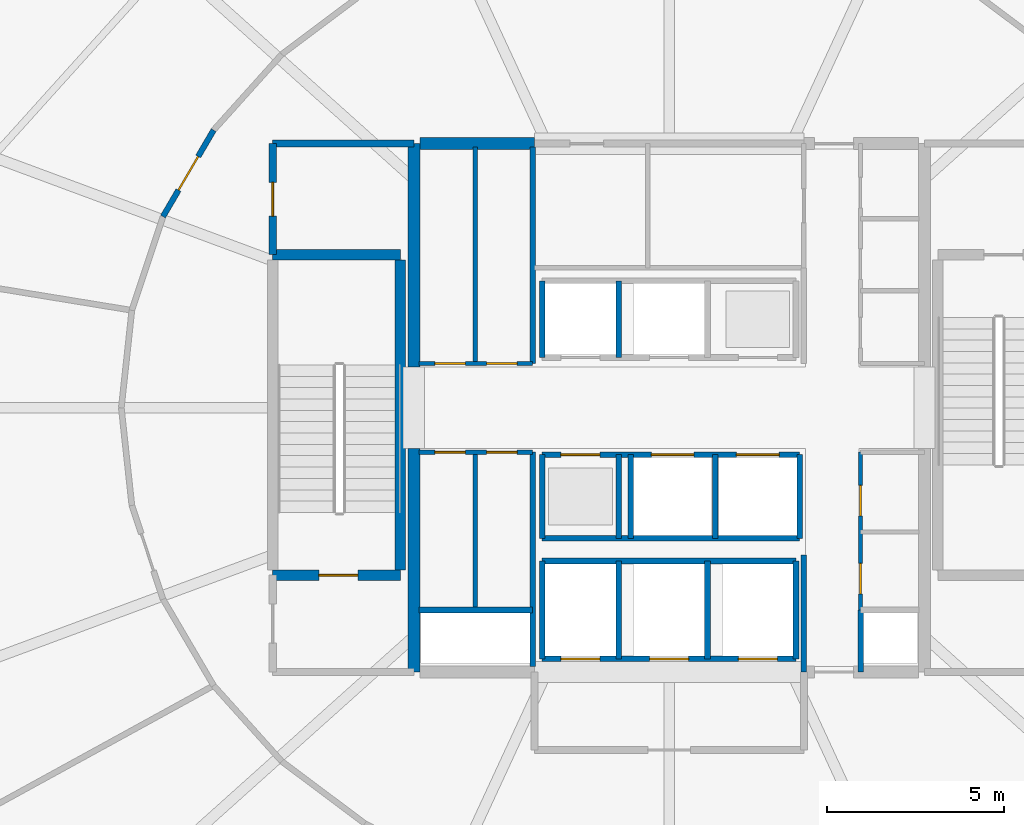
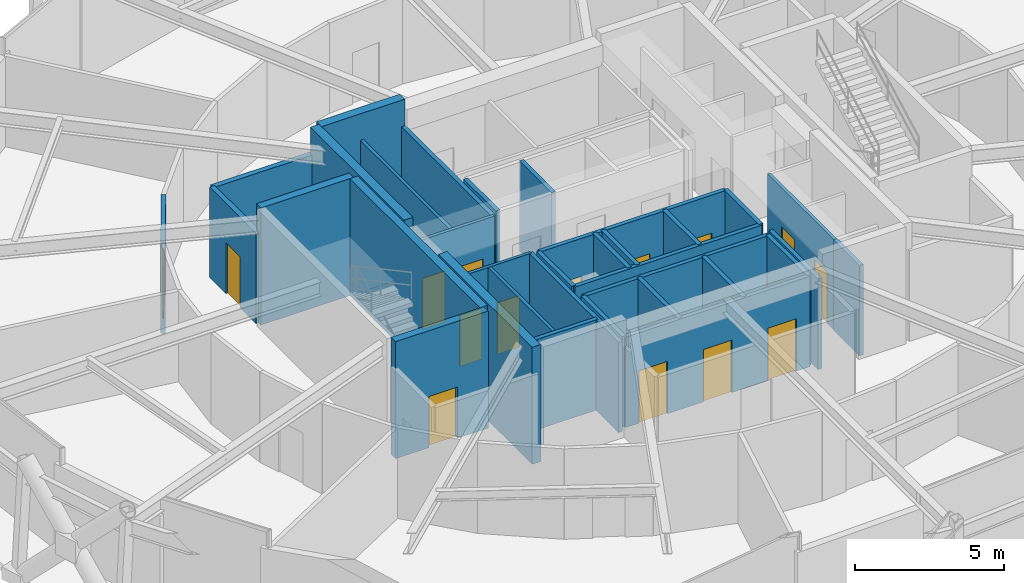
# One storey, part 25 of 29: 34 walls, 15 doors, 15 openings.
"""IFC4 building model written with IfcOpenShell, lengths in metres."""

from ifc_helpers import new_model, si_unit, direction, frame, frame_2d, origin, place, context, subcontext, project, spatial, rectangle, extrude, material, layer, layer_set, type_object, element, fill, save


model = new_model("IFC4")

# Units and contexts
model_context = context("Model", 3, precision=1e-05, world=origin(), true_north=direction((0.0, 1.0)))
body_context = subcontext(model_context, "Body", "Model", "MODEL_VIEW")
ifc_project = project(units=[si_unit("LENGTHUNIT", "METRE"), si_unit("AREAUNIT", "SQUARE_METRE"), si_unit("VOLUMEUNIT", "CUBIC_METRE"), si_unit("PLANEANGLEUNIT", "RADIAN"), si_unit("MASSUNIT", "GRAM", prefix="KILO")], contexts=[model_context])

# Site, building, storey
site_placement = place(None, origin())
site = spatial("IfcSite", under=ifc_project, at=site_placement, CompositionType="ELEMENT")
building_placement = place(site_placement, origin())
building = spatial("IfcBuilding", under=site, at=building_placement, Name="Veldorina Hangang Commons", CompositionType="ELEMENT")
storey_placement = place(building_placement, frame((0.0, 0.0, 203.60009765625)))
storey = spatial("IfcBuildingStorey", under=building, at=storey_placement, Name="L53", CompositionType="ELEMENT", Elevation=203.60009765625)

# Walls
ifc_material_1 = material(Name="Concrete C60/75", Category="concrete")
ifc_layer_1 = layer(ifc_material_1, 0.340087890625)
ifc_layer_set_1 = layer_set([ifc_layer_1], Name="Concrete C60/75")
wall_type_1 = type_object("IfcWallType", Name="CW-RC340-C60", PredefinedType="SHEAR", material=ifc_layer_set_1)
for number, where, z_axis, x_axis, name in (
    (1, (24.800048828125, 16.550048828125, 0.0), (0.0, 0.0, 1.0), (0.0, 1.0, 0.0), "L53 W south core shear wall"),
    (2, (24.800048828125, 25.14990234375, 0.0), (0.0, 0.0, 1.0), (0.0, 1.0, 0.0), "L53 W north core shear wall"),
):
    element("IfcWall", number, at=place(storey_placement, frame(where, z_axis=z_axis, x_axis=x_axis)), inside=storey, type_object=wall_type_1, Name=name, PredefinedType="SHEAR", context=body_context, shape_type="SweptSolid", body=[
        extrude(rectangle(XDim=6.300048828125, YDim=0.340087890625, at=frame_2d((3.14990234375, 0.0))), origin(), (0.0, 0.0, 1.0), 4.7998046875),
    ])
wall_1_placement = place(storey_placement, frame((24.969970703125, 31.449951171875, 0.0), z_axis=(0.0, 0.0, 1.0), x_axis=(1.0, 0.0, 0.0)))
element("IfcWall", 3, at=wall_1_placement, inside=storey, type_object=wall_type_1, Name="L53 north-west core shear wall", PredefinedType="SHEAR", context=body_context, shape_type="SweptSolid", body=[
    extrude(rectangle(XDim=3.22998046875, YDim=0.340087890625, at=frame_2d((1.614990234375, 0.0))), origin(), (0.0, 0.0, 1.0), 4.7998046875),
])
ifc_material_2 = material(Name="Concrete C50/60", Category="concrete")
ifc_layer_2 = layer(ifc_material_2, 0.300048828125)
ifc_layer_set_2 = layer_set([ifc_layer_2], Name="Concrete C50/60")
wall_type_2 = type_object("IfcWallType", Name="SW-STAIR-300", PredefinedType="SHEAR", material=ifc_layer_set_2)
wall_2_placement = place(storey_placement, frame((24.419921875, 19.429931640625, 0.0), z_axis=(0.0, 0.0, 1.0), x_axis=(0.0, 1.0, 0.0)))
element("IfcWall", 4, at=wall_2_placement, inside=storey, type_object=wall_type_2, Name="L53 ST1 inner stair shear wall", PredefinedType="SHEAR", context=body_context, shape_type="SweptSolid", body=[
    extrude(rectangle(XDim=8.739990234375, YDim=0.300048828125, at=frame_2d((4.3701171875, 0.0))), origin(), (0.0, 0.0, 1.0), 4.7998046875),
])

# Wall, opening, door
wall_3_placement = place(storey_placement, frame((20.820068359375, 19.280029296875, 0.0), z_axis=(0.0, 0.0, 1.0), x_axis=(1.0, 0.0, 0.0)))
wall_3 = element("IfcWall", 5, at=wall_3_placement, inside=storey, type_object=wall_type_2, Name="L53 ST1 south stair shear wall", PredefinedType="SHEAR", context=body_context, shape_type="SweptSolid", body=[
    extrude(rectangle(XDim=3.599853515625, YDim=0.300048828125, at=frame_2d((1.7998046875, 0.0))), origin(), (0.0, 0.0, 1.0), 4.7998046875),
])
opening_1_placement = place(wall_3_placement, frame((1.300048828125, 0.0, 0.0)))
opening_1 = element("IfcOpeningElement", 6, at=opening_1_placement, cuts=wall_3, Name="Opening D-08", PredefinedType="OPENING", context=body_context, shape_type="SweptSolid", body=[
    extrude(rectangle(XDim=1.10009765625, YDim=2.10009765625, at=frame_2d((0.550048828125, 1.050048828125))), frame((0.0, 0.16015625, 0.0), z_axis=(0.0, -1.0, 0.0), x_axis=(1.0, 0.0, 0.0)), (0.0, 0.0, 1.0), 0.320068359375),
])
ifc_material_3 = material(Name="Steel Fire-Rated Smoke Seal", Category="steel")
door_type_1 = type_object("IfcDoorType", Name="DR-FIRE-1100", OperationType="SINGLE_SWING_RIGHT", PredefinedType="DOOR", material=ifc_material_3)
door_1_placement = place(opening_1_placement, origin())
door_1 = element("IfcDoor", 7, at=door_1_placement, inside=storey, type_object=door_type_1, Name="L53 Special Escape Stair ST-1 door", OperationType="SINGLE_SWING_LEFT", OverallHeight=2.10009765625, OverallWidth=1.10009765625, PredefinedType="DOOR", context=body_context, shape_type="SweptSolid", body=[
    extrude(rectangle(XDim=1.10009765625, YDim=2.10009765625, at=frame_2d((0.550048828125, 1.050048828125))), frame((0.0, 0.02490234375, 0.0), z_axis=(0.0, -1.0, 0.0), x_axis=(1.0, 0.0, 0.0)), (0.0, 0.0, 1.0), 0.050048828125),
])
fill(opening_1, door_1)

# Walls
wall_4_placement = place(storey_placement, frame((20.820068359375, 28.320068359375, 0.0), z_axis=(0.0, 0.0, 1.0), x_axis=(1.0, 0.0, 0.0)))
element("IfcWall", 8, at=wall_4_placement, inside=storey, type_object=wall_type_2, Name="L53 ST1 north stair shear wall", PredefinedType="SHEAR", context=body_context, shape_type="SweptSolid", body=[
    extrude(rectangle(XDim=3.599853515625, YDim=0.300048828125, at=frame_2d((1.7998046875, 0.0))), origin(), (0.0, 0.0, 1.0), 4.7998046875),
])
ifc_material_4 = material(Name="Gypsum Fire-Rated Twin Stud Wall", Category="gypsum")
ifc_layer_3 = layer(ifc_material_4, 0.159912109375)
ifc_layer_set_3 = layer_set([ifc_layer_3], Name="Gypsum Fire-Rated Twin Stud Wall")
wall_type_3 = type_object("IfcWallType", Name="WL-FIRE-160", PredefinedType="SOLIDWALL", material=ifc_layer_set_3)
wall_5_placement = place(storey_placement, frame((35.800048828125, 16.550048828125, 0.0), z_axis=(0.0, 0.0, 1.0), x_axis=(0.0, 1.0, 0.0)))
element("IfcWall", 9, at=wall_5_placement, inside=storey, type_object=wall_type_3, Name="L53 Lift passage SW wall 009", PredefinedType="SOLIDWALL", context=body_context, shape_type="SweptSolid", body=[
    extrude(rectangle(XDim=3.300048828125, YDim=0.159912109375, at=frame_2d((1.64990234375, 0.0))), origin(), (0.0, 0.0, 1.0), 3.7099609375),
])
wall_6_placement = place(storey_placement, frame((37.39990234375, 16.550048828125, 0.0), z_axis=(0.0, 0.0, 1.0), x_axis=(0.0, 1.0, 0.0)))
element("IfcWall", 10, at=wall_6_placement, inside=storey, type_object=wall_type_3, Name="L53 Lift passage SE stub 010", PredefinedType="SOLIDWALL", context=body_context, shape_type="SweptSolid", body=[
    extrude(rectangle(XDim=1.75, YDim=0.159912109375, at=frame_2d((0.875, 0.0))), origin(), (0.0, 0.0, 1.0), 3.7099609375),
])
for number, where, z_axis, x_axis, name in (
    (11, (28.419921875, 25.419921875, 0.0), (0.0, 0.0, 1.0), (0.0, 1.0, 0.0), "L53 PL-M1 west shaft wall 017"),
    (12, (30.580078125, 25.419921875, 0.0), (0.0, 0.0, 1.0), (0.0, 1.0, 0.0), "L53 PL-M1 east shaft wall 018"),
):
    element("IfcWall", number, at=place(storey_placement, frame(where, z_axis=z_axis, x_axis=x_axis)), inside=storey, type_object=wall_type_3, Name=name, PredefinedType="SOLIDWALL", context=body_context, shape_type="SweptSolid", body=[
        extrude(rectangle(XDim=2.16015625, YDim=0.159912109375, at=frame_2d((1.080078125, 0.0))), origin(), (0.0, 0.0, 1.0), 3.7099609375),
    ])

# Wall, openings, doors
wall_7_placement = place(storey_placement, frame((28.419921875, 22.679931640625, 0.0), z_axis=(0.0, 0.0, 1.0), x_axis=(1.0, 0.0, 0.0)))
wall_7 = element("IfcWall", 13, at=wall_7_placement, inside=storey, type_object=wall_type_3, Name="L53 Shuttle-high front shaft wall 021", PredefinedType="SOLIDWALL", context=body_context, shape_type="SweptSolid", body=[
    extrude(rectangle(XDim=7.260009765625, YDim=0.159912109375, at=frame_2d((3.6298828125, 0.0))), origin(), (0.0, 0.0, 1.0), 3.7099609375),
])
opening_2_placement = place(wall_7_placement, frame((0.530029296875, 0.0, 0.0)))
opening_2 = element("IfcOpeningElement", 14, at=opening_2_placement, cuts=wall_7, Name="Opening LD-01", PredefinedType="OPENING", context=body_context, shape_type="SweptSolid", body=[
    extrude(rectangle(XDim=1.10009765625, YDim=2.14990234375, at=frame_2d((0.550048828125, 1.074951171875))), frame((0.0, 0.08984375, 0.0), z_axis=(0.0, -1.0, 0.0), x_axis=(1.0, 0.0, 0.0)), (0.0, 0.0, 1.0), 0.179931640625),
])
opening_3_placement = place(wall_7_placement, frame((3.080078125, 0.0, 0.0)))
opening_3 = element("IfcOpeningElement", 15, at=opening_3_placement, cuts=wall_7, Name="Opening LD-02", PredefinedType="OPENING", context=body_context, shape_type="SweptSolid", body=[
    extrude(rectangle(XDim=1.199951171875, YDim=2.14990234375, at=frame_2d((0.60009765625, 1.074951171875))), frame((0.0, 0.08984375, 0.0), z_axis=(0.0, -1.0, 0.0), x_axis=(1.0, 0.0, 0.0)), (0.0, 0.0, 1.0), 0.179931640625),
])
opening_4_placement = place(wall_7_placement, frame((5.47998046875, 0.0, 0.0)))
opening_4 = element("IfcOpeningElement", 16, at=opening_4_placement, cuts=wall_7, Name="Opening LD-02", PredefinedType="OPENING", context=body_context, shape_type="SweptSolid", body=[
    extrude(rectangle(XDim=1.199951171875, YDim=2.14990234375, at=frame_2d((0.60009765625, 1.074951171875))), frame((0.0, 0.08984375, 0.0), z_axis=(0.0, -1.0, 0.0), x_axis=(1.0, 0.0, 0.0)), (0.0, 0.0, 1.0), 0.179931640625),
])
ifc_material_5 = material(Name="Stainless Steel Brushed Lift Door", Category="steel")
door_type_2 = type_object("IfcDoorType", Name="DR-LIFT-1100", OperationType="SLIDING_TO_LEFT", PredefinedType="DOOR", material=ifc_material_5)
door_2_placement = place(opening_2_placement, origin())
door_2 = element("IfcDoor", 17, at=door_2_placement, inside=storey, type_object=door_type_2, Name="L53 Lift PL-H2 landing door 009", OperationType="SLIDING_TO_LEFT", OverallHeight=2.14990234375, OverallWidth=1.10009765625, PredefinedType="DOOR", context=body_context, shape_type="SweptSolid", body=[
    extrude(rectangle(XDim=1.10009765625, YDim=2.14990234375, at=frame_2d((0.550048828125, 1.074951171875))), frame((0.0, 0.02490234375, 0.0), z_axis=(0.0, -1.0, 0.0), x_axis=(1.0, 0.0, 0.0)), (0.0, 0.0, 1.0), 0.050048828125),
])
fill(opening_2, door_2)
ifc_material_6 = material(Name="Stainless Steel Express Lift Door", Category="steel")
door_type_3 = type_object("IfcDoorType", Name="DR-LIFT-1200", OperationType="SLIDING_TO_LEFT", PredefinedType="DOOR", material=ifc_material_6)
door_3_placement = place(opening_3_placement, origin())
door_3 = element("IfcDoor", 18, at=door_3_placement, inside=storey, type_object=door_type_3, Name="L53 Lift SL-1 landing door 010", OperationType="SLIDING_TO_LEFT", OverallHeight=2.14990234375, OverallWidth=1.199951171875, PredefinedType="DOOR", context=body_context, shape_type="SweptSolid", body=[
    extrude(rectangle(XDim=1.199951171875, YDim=2.14990234375, at=frame_2d((0.60009765625, 1.074951171875))), frame((0.0, 0.02490234375, 0.0), z_axis=(0.0, -1.0, 0.0), x_axis=(1.0, 0.0, 0.0)), (0.0, 0.0, 1.0), 0.050048828125),
])
fill(opening_3, door_3)
door_4_placement = place(opening_4_placement, origin())
door_4 = element("IfcDoor", 19, at=door_4_placement, inside=storey, type_object=door_type_3, Name="L53 Lift SL-2 landing door 011", OperationType="SLIDING_TO_LEFT", OverallHeight=2.14990234375, OverallWidth=1.199951171875, PredefinedType="DOOR", context=body_context, shape_type="SweptSolid", body=[
    extrude(rectangle(XDim=1.199951171875, YDim=2.14990234375, at=frame_2d((0.60009765625, 1.074951171875))), frame((0.0, 0.02490234375, 0.0), z_axis=(0.0, -1.0, 0.0), x_axis=(1.0, 0.0, 0.0)), (0.0, 0.0, 1.0), 0.050048828125),
])
fill(opening_4, door_4)

# Walls
wall_8_placement = place(storey_placement, frame((28.419921875, 20.320068359375, 0.0), z_axis=(0.0, 0.0, 1.0), x_axis=(1.0, 0.0, 0.0)))
element("IfcWall", 20, at=wall_8_placement, inside=storey, type_object=wall_type_3, Name="L53 Shuttle-high rear shaft wall 022", PredefinedType="SOLIDWALL", context=body_context, shape_type="SweptSolid", body=[
    extrude(rectangle(XDim=7.260009765625, YDim=0.159912109375, at=frame_2d((3.6298828125, 0.0))), origin(), (0.0, 0.0, 1.0), 3.7099609375),
])
for number, where, z_axis, x_axis, name in (
    (21, (28.419921875, 20.320068359375, 0.0), (0.0, 0.0, 1.0), (0.0, 1.0, 0.0), "L53 PL-H2 west shaft wall 023"),
    (22, (30.580078125, 20.320068359375, 0.0), (0.0, 0.0, 1.0), (0.0, 1.0, 0.0), "L53 PL-H2 east shaft wall 024"),
    (23, (30.919921875, 20.320068359375, 0.0), (0.0, 0.0, 1.0), (0.0, 1.0, 0.0), "L53 SL-1 west shaft wall 025"),
    (24, (33.300048828125, 20.320068359375, 0.0), (0.0, 0.0, 1.0), (0.0, 1.0, 0.0), "L53 SL-1 east shaft wall 026"),
    (25, (35.679931640625, 20.320068359375, 0.0), (0.0, 0.0, 1.0), (0.0, 1.0, 0.0), "L53 SL-2 east shaft wall 027"),
):
    element("IfcWall", number, at=place(storey_placement, frame(where, z_axis=z_axis, x_axis=x_axis)), inside=storey, type_object=wall_type_3, Name=name, PredefinedType="SOLIDWALL", context=body_context, shape_type="SweptSolid", body=[
        extrude(rectangle(XDim=2.35986328125, YDim=0.159912109375, at=frame_2d((1.179931640625, 0.0))), origin(), (0.0, 0.0, 1.0), 3.7099609375),
    ])

# Wall, openings, doors
wall_9_placement = place(storey_placement, frame((28.419921875, 16.919921875, 0.0), z_axis=(0.0, 0.0, 1.0), x_axis=(1.0, 0.0, 0.0)))
wall_9 = element("IfcWall", 26, at=wall_9_placement, inside=storey, type_object=wall_type_3, Name="L53 Emergency front shaft wall 028", PredefinedType="SOLIDWALL", context=body_context, shape_type="SweptSolid", body=[
    extrude(rectangle(XDim=7.16015625, YDim=0.159912109375, at=frame_2d((3.580078125, 0.0))), origin(), (0.0, 0.0, 1.0), 3.7099609375),
])
opening_5_placement = place(wall_9_placement, frame((0.530029296875, 0.0, 0.0)))
opening_5 = element("IfcOpeningElement", 27, at=opening_5_placement, cuts=wall_9, Name="Opening LD-03", PredefinedType="OPENING", context=body_context, shape_type="SweptSolid", body=[
    extrude(rectangle(XDim=1.10009765625, YDim=2.14990234375, at=frame_2d((0.550048828125, 1.074951171875))), frame((0.0, 0.08984375, 0.0), z_axis=(0.0, -1.0, 0.0), x_axis=(1.0, 0.0, 0.0)), (0.0, 0.0, 1.0), 0.179931640625),
])
opening_6_placement = place(wall_9_placement, frame((3.030029296875, 0.0, 0.0)))
opening_6 = element("IfcOpeningElement", 28, at=opening_6_placement, cuts=wall_9, Name="Opening LD-03", PredefinedType="OPENING", context=body_context, shape_type="SweptSolid", body=[
    extrude(rectangle(XDim=1.10009765625, YDim=2.14990234375, at=frame_2d((0.550048828125, 1.074951171875))), frame((0.0, 0.08984375, 0.0), z_axis=(0.0, -1.0, 0.0), x_axis=(1.0, 0.0, 0.0)), (0.0, 0.0, 1.0), 0.179931640625),
])
opening_7_placement = place(wall_9_placement, frame((5.530029296875, 0.0, 0.0)))
opening_7 = element("IfcOpeningElement", 29, at=opening_7_placement, cuts=wall_9, Name="Opening LD-03", PredefinedType="OPENING", context=body_context, shape_type="SweptSolid", body=[
    extrude(rectangle(XDim=1.10009765625, YDim=2.14990234375, at=frame_2d((0.550048828125, 1.074951171875))), frame((0.0, 0.08984375, 0.0), z_axis=(0.0, -1.0, 0.0), x_axis=(1.0, 0.0, 0.0)), (0.0, 0.0, 1.0), 0.179931640625),
])
ifc_material_7 = material(Name="Stainless Steel Firefighting Lift Door", Category="steel")
door_type_4 = type_object("IfcDoorType", Name="DR-LIFT-FF1100", OperationType="SLIDING_TO_RIGHT", PredefinedType="DOOR", material=ifc_material_7)
door_5_placement = place(opening_5_placement, origin())
door_5 = element("IfcDoor", 30, at=door_5_placement, inside=storey, type_object=door_type_4, Name="L53 Emergency lift FFL-1 landing door 012", OperationType="SLIDING_TO_RIGHT", OverallHeight=2.14990234375, OverallWidth=1.10009765625, PredefinedType="DOOR", context=body_context, shape_type="SweptSolid", body=[
    extrude(rectangle(XDim=1.10009765625, YDim=2.14990234375, at=frame_2d((0.550048828125, 1.074951171875))), frame((0.0, 0.02490234375, 0.0), z_axis=(0.0, -1.0, 0.0), x_axis=(1.0, 0.0, 0.0)), (0.0, 0.0, 1.0), 0.050048828125),
])
fill(opening_5, door_5)
door_6_placement = place(opening_6_placement, origin())
door_6 = element("IfcDoor", 31, at=door_6_placement, inside=storey, type_object=door_type_4, Name="L53 Emergency lift FFL-2 landing door 013", OperationType="SLIDING_TO_RIGHT", OverallHeight=2.14990234375, OverallWidth=1.10009765625, PredefinedType="DOOR", context=body_context, shape_type="SweptSolid", body=[
    extrude(rectangle(XDim=1.10009765625, YDim=2.14990234375, at=frame_2d((0.550048828125, 1.074951171875))), frame((0.0, 0.02490234375, 0.0), z_axis=(0.0, -1.0, 0.0), x_axis=(1.0, 0.0, 0.0)), (0.0, 0.0, 1.0), 0.050048828125),
])
fill(opening_6, door_6)
door_7_placement = place(opening_7_placement, origin())
door_7 = element("IfcDoor", 32, at=door_7_placement, inside=storey, type_object=door_type_4, Name="L53 Emergency lift EVL-1 landing door 014", OperationType="SLIDING_TO_RIGHT", OverallHeight=2.14990234375, OverallWidth=1.10009765625, PredefinedType="DOOR", context=body_context, shape_type="SweptSolid", body=[
    extrude(rectangle(XDim=1.10009765625, YDim=2.14990234375, at=frame_2d((0.550048828125, 1.074951171875))), frame((0.0, 0.02490234375, 0.0), z_axis=(0.0, -1.0, 0.0), x_axis=(1.0, 0.0, 0.0)), (0.0, 0.0, 1.0), 0.050048828125),
])
fill(opening_7, door_7)

# Walls
wall_10_placement = place(storey_placement, frame((28.419921875, 19.679931640625, 0.0), z_axis=(0.0, 0.0, 1.0), x_axis=(1.0, 0.0, 0.0)))
element("IfcWall", 33, at=wall_10_placement, inside=storey, type_object=wall_type_3, Name="L53 Emergency rear shaft wall 029", PredefinedType="SOLIDWALL", context=body_context, shape_type="SweptSolid", body=[
    extrude(rectangle(XDim=7.16015625, YDim=0.159912109375, at=frame_2d((3.580078125, 0.0))), origin(), (0.0, 0.0, 1.0), 3.7099609375),
])
for number, where, z_axis, x_axis, name in (
    (34, (28.419921875, 16.919921875, 0.0), (0.0, 0.0, 1.0), (0.0, 1.0, 0.0), "L53 FFL-1 west shaft wall 030"),
    (35, (30.580078125, 16.919921875, 0.0), (0.0, 0.0, 1.0), (0.0, 1.0, 0.0), "L53 FFL-1 east shaft wall 031"),
    (36, (33.080078125, 16.919921875, 0.0), (0.0, 0.0, 1.0), (0.0, 1.0, 0.0), "L53 FFL-2 east shaft wall 032"),
    (37, (35.580078125, 16.919921875, 0.0), (0.0, 0.0, 1.0), (0.0, 1.0, 0.0), "L53 EVL-1 east shaft wall 033"),
):
    element("IfcWall", number, at=place(storey_placement, frame(where, z_axis=z_axis, x_axis=x_axis)), inside=storey, type_object=wall_type_3, Name=name, PredefinedType="SOLIDWALL", context=body_context, shape_type="SweptSolid", body=[
        extrude(rectangle(XDim=2.760009765625, YDim=0.159912109375, at=frame_2d((1.3798828125, 0.0))), origin(), (0.0, 0.0, 1.0), 3.7099609375),
    ])
wall_11_placement = place(storey_placement, frame((24.949951171875, 18.300048828125, 0.0), z_axis=(0.0, 0.0, 1.0), x_axis=(1.0, 0.0, 0.0)))
element("IfcWall", 38, at=wall_11_placement, inside=storey, type_object=wall_type_3, Name="L53 Electrical riser wall 038", PredefinedType="SOLIDWALL", context=body_context, shape_type="SweptSolid", body=[
    extrude(rectangle(XDim=3.199951171875, YDim=0.159912109375, at=frame_2d((1.60009765625, 0.0))), origin(), (0.0, 0.0, 1.0), 3.7099609375),
])
wall_12_placement = place(storey_placement, frame((28.14990234375, 16.699951171875, 0.0), z_axis=(0.0, 0.0, 1.0), x_axis=(0.0, 1.0, 0.0)))
element("IfcWall", 39, at=wall_12_placement, inside=storey, type_object=wall_type_3, Name="L53 SW core inner wall 039", PredefinedType="SOLIDWALL", context=body_context, shape_type="SweptSolid", body=[
    extrude(rectangle(XDim=6.050048828125, YDim=0.159912109375, at=frame_2d((3.02490234375, 0.0))), origin(), (0.0, 0.0, 1.0), 3.7099609375),
])
wall_13_placement = place(storey_placement, frame((28.14990234375, 25.25, 0.0), z_axis=(0.0, 0.0, 1.0), x_axis=(0.0, 1.0, 0.0)))
element("IfcWall", 40, at=wall_13_placement, inside=storey, type_object=wall_type_3, Name="L53 NW core inner wall 041", PredefinedType="SOLIDWALL", context=body_context, shape_type="SweptSolid", body=[
    extrude(rectangle(XDim=6.10009765625, YDim=0.159912109375, at=frame_2d((3.050048828125, 0.0))), origin(), (0.0, 0.0, 1.0), 3.7099609375),
])

# Wall, opening, door
wall_14_placement = place(storey_placement, frame((19.15380859375, 31.83349609375, 0.0), z_axis=(0.0, 0.0, 1.0), x_axis=(-0.505380130961, -0.862896820732, 0.0)))
wall_14 = element("IfcWall", 41, at=wall_14_placement, inside=storey, type_object=wall_type_3, Name="L53 Sky gallery wall 13 066", PredefinedType="SOLIDWALL", context=body_context, shape_type="SweptSolid", body=[
    extrude(rectangle(XDim=2.824951171875, YDim=0.159912109375, at=frame_2d((1.41259765625, 0.0))), origin(), (0.0, 0.0, 1.0), 3.7099609375),
])
opening_8_placement = place(wall_14_placement, frame((0.862548828125, 0.0, 0.0)))
opening_8 = element("IfcOpeningElement", 42, at=opening_8_placement, cuts=wall_14, Name="Opening D-08", PredefinedType="OPENING", context=body_context, shape_type="SweptSolid", body=[
    extrude(rectangle(XDim=1.10009765625, YDim=2.10009765625, at=frame_2d((0.550048828125, 1.050048828125))), frame((0.0, 0.08984375, 0.0), z_axis=(0.0, -1.0, 0.0), x_axis=(1.0, 0.0, 0.0)), (0.0, 0.0, 1.0), 0.179931640625),
])
door_8_placement = place(opening_8_placement, origin())
door_8 = element("IfcDoor", 43, at=door_8_placement, inside=storey, type_object=door_type_1, Name="L53 Student Club Meeting Room entrance door 029", OperationType="SINGLE_SWING_LEFT", OverallHeight=2.10009765625, OverallWidth=1.10009765625, PredefinedType="DOOR", context=body_context, shape_type="SweptSolid", body=[
    extrude(rectangle(XDim=1.10009765625, YDim=2.10009765625, at=frame_2d((0.550048828125, 1.050048828125))), frame((0.0, 0.02490234375, 0.0), z_axis=(0.0, -1.0, 0.0), x_axis=(1.0, 0.0, 0.0)), (0.0, 0.0, 1.0), 0.050048828125),
])
fill(opening_8, door_8)

ifc_material_8 = material(Name="Concrete Blockwork Fire Wall C30/37", Category="masonry")
ifc_layer_4 = layer(ifc_material_8, 0.199951171875)
ifc_layer_set_4 = layer_set([ifc_layer_4], Name="Concrete Blockwork Fire Wall C30/37")
wall_type_4 = type_object("IfcWallType", Name="WL-FIRE-200", PredefinedType="SOLIDWALL", material=ifc_layer_set_4)
wall_15_placement = place(storey_placement, frame((20.820068359375, 28.320068359375, 0.0), z_axis=(0.0, 0.0, 1.0), x_axis=(0.0, 1.0, 0.0)))
wall_15 = element("IfcWall", 44, at=wall_15_placement, inside=storey, type_object=wall_type_4, Name="L53 NW core room outer wall 005", PredefinedType="SOLIDWALL", context=body_context, shape_type="SweptSolid", body=[
    extrude(rectangle(XDim=3.1298828125, YDim=0.199951171875, at=frame_2d((1.56494140625, 0.0))), origin(), (0.0, 0.0, 1.0), 3.7099609375),
])
opening_9_placement = place(wall_15_placement, frame((1.090087890625, 0.0, 0.0)))
opening_9 = element("IfcOpeningElement", 45, at=opening_9_placement, cuts=wall_15, Name="Opening D-04", PredefinedType="OPENING", context=body_context, shape_type="SweptSolid", body=[
    extrude(rectangle(XDim=0.949951171875, YDim=2.10009765625, at=frame_2d((0.47509765625, 1.050048828125))), frame((0.0, 0.10986328125, 0.0), z_axis=(0.0, -1.0, 0.0), x_axis=(1.0, 0.0, 0.0)), (0.0, 0.0, 1.0), 0.219970703125),
])
ifc_material_9 = material(Name="Timber Accessible Flush Leaf", Category="wood")
door_type_5 = type_object("IfcDoorType", Name="DR-ACC-950", OperationType="SINGLE_SWING_LEFT", PredefinedType="DOOR", material=ifc_material_9)
door_9_placement = place(opening_9_placement, origin())
door_9 = element("IfcDoor", 46, at=door_9_placement, inside=storey, type_object=door_type_5, Name="L53 NW core WC door 003", OperationType="SINGLE_SWING_LEFT", OverallHeight=2.10009765625, OverallWidth=0.949951171875, PredefinedType="DOOR", context=body_context, shape_type="SweptSolid", body=[
    extrude(rectangle(XDim=0.949951171875, YDim=2.10009765625, at=frame_2d((0.47509765625, 1.050048828125))), frame((0.0, 0.02490234375, 0.0), z_axis=(0.0, -1.0, 0.0), x_axis=(1.0, 0.0, 0.0)), (0.0, 0.0, 1.0), 0.050048828125),
])
fill(opening_9, door_9)

# Wall
wall_16_placement = place(storey_placement, frame((20.820068359375, 31.449951171875, 0.0), z_axis=(0.0, 0.0, 1.0), x_axis=(1.0, 0.0, 0.0)))
element("IfcWall", 47, at=wall_16_placement, inside=storey, type_object=wall_type_4, Name="L53 NW core room north wall 006", PredefinedType="SOLIDWALL", context=body_context, shape_type="SweptSolid", body=[
    extrude(rectangle(XDim=3.97998046875, YDim=0.199951171875, at=frame_2d((1.989990234375, 0.0))), origin(), (0.0, 0.0, 1.0), 3.7099609375),
])

# Wall, openings, doors
ifc_material_10 = material(Name="Gypsum Acoustic Stud Partition", Category="gypsum")
ifc_layer_5 = layer(ifc_material_10, 0.1201171875)
ifc_layer_set_5 = layer_set([ifc_layer_5], Name="Gypsum Acoustic Stud Partition")
wall_type_5 = type_object("IfcWallType", Name="WL-PART-120", PredefinedType="PARTITIONING", material=ifc_layer_set_5)
wall_17_placement = place(storey_placement, frame((24.949951171875, 25.25, 0.0), z_axis=(0.0, 0.0, 1.0), x_axis=(1.0, 0.0, 0.0)))
wall_17 = element("IfcWall", 48, at=wall_17_placement, inside=storey, type_object=wall_type_5, Name="L53 NW service south wall 042", PredefinedType="PARTITIONING", context=body_context, shape_type="SweptSolid", body=[
    extrude(rectangle(XDim=3.199951171875, YDim=0.1201171875, at=frame_2d((1.60009765625, 0.0))), origin(), (0.0, 0.0, 1.0), 3.7099609375),
])
opening_10_placement = place(wall_17_placement, frame((0.43994140625, 0.0, 0.0)))
opening_10 = element("IfcOpeningElement", 49, at=opening_10_placement, cuts=wall_17, Name="Opening D-01", PredefinedType="OPENING", context=body_context, shape_type="SweptSolid", body=[
    extrude(rectangle(XDim=0.860107421875, YDim=2.10009765625, at=frame_2d((0.43017578125, 1.050048828125))), frame((0.0, 0.070068359375, 0.0), z_axis=(0.0, -1.0, 0.0), x_axis=(1.0, 0.0, 0.0)), (0.0, 0.0, 1.0), 0.14013671875),
])
opening_11_placement = place(wall_17_placement, frame((1.89990234375, 0.0, 0.0)))
opening_11 = element("IfcOpeningElement", 50, at=opening_11_placement, cuts=wall_17, Name="Opening D-01", PredefinedType="OPENING", context=body_context, shape_type="SweptSolid", body=[
    extrude(rectangle(XDim=0.860107421875, YDim=2.10009765625, at=frame_2d((0.43017578125, 1.050048828125))), frame((0.0, 0.070068359375, 0.0), z_axis=(0.0, -1.0, 0.0), x_axis=(1.0, 0.0, 0.0)), (0.0, 0.0, 1.0), 0.14013671875),
])
ifc_material_11 = material(Name="Timber Moisture-Resistant Core", Category="wood")
door_type_6 = type_object("IfcDoorType", Name="DR-WET-860", OperationType="SINGLE_SWING_LEFT", PredefinedType="DOOR", material=ifc_material_11)
door_10_placement = place(opening_10_placement, origin())
door_10 = element("IfcDoor", 51, at=door_10_placement, inside=storey, type_object=door_type_6, Name="L53 Linen west door 017", OperationType="SINGLE_SWING_LEFT", OverallHeight=2.10009765625, OverallWidth=0.860107421875, PredefinedType="DOOR", context=body_context, shape_type="SweptSolid", body=[
    extrude(rectangle(XDim=0.860107421875, YDim=2.10009765625, at=frame_2d((0.43017578125, 1.050048828125))), frame((0.0, 0.02490234375, 0.0), z_axis=(0.0, -1.0, 0.0), x_axis=(1.0, 0.0, 0.0)), (0.0, 0.0, 1.0), 0.050048828125),
])
fill(opening_10, door_10)
door_11_placement = place(opening_11_placement, origin())
door_11 = element("IfcDoor", 52, at=door_11_placement, inside=storey, type_object=door_type_6, Name="L53 Data closet door 018", OperationType="SINGLE_SWING_RIGHT", OverallHeight=2.10009765625, OverallWidth=0.860107421875, PredefinedType="DOOR", context=body_context, shape_type="SweptSolid", body=[
    extrude(rectangle(XDim=0.860107421875, YDim=2.10009765625, at=frame_2d((0.43017578125, 1.050048828125))), frame((0.0, 0.02490234375, 0.0), z_axis=(0.0, -1.0, 0.0), x_axis=(1.0, 0.0, 0.0)), (0.0, 0.0, 1.0), 0.050048828125),
])
fill(opening_11, door_11)

wall_18_placement = place(storey_placement, frame((24.949951171875, 22.75, 0.0), z_axis=(0.0, 0.0, 1.0), x_axis=(1.0, 0.0, 0.0)))
wall_18 = element("IfcWall", 53, at=wall_18_placement, inside=storey, type_object=wall_type_5, Name="L53 SW service north wall 043", PredefinedType="PARTITIONING", context=body_context, shape_type="SweptSolid", body=[
    extrude(rectangle(XDim=3.199951171875, YDim=0.1201171875, at=frame_2d((1.60009765625, 0.0))), origin(), (0.0, 0.0, 1.0), 3.7099609375),
])
opening_12_placement = place(wall_18_placement, frame((0.43994140625, 0.0, 0.0)))
opening_12 = element("IfcOpeningElement", 54, at=opening_12_placement, cuts=wall_18, Name="Opening D-01", PredefinedType="OPENING", context=body_context, shape_type="SweptSolid", body=[
    extrude(rectangle(XDim=0.860107421875, YDim=2.10009765625, at=frame_2d((0.43017578125, 1.050048828125))), frame((0.0, 0.070068359375, 0.0), z_axis=(0.0, -1.0, 0.0), x_axis=(1.0, 0.0, 0.0)), (0.0, 0.0, 1.0), 0.14013671875),
])
opening_13_placement = place(wall_18_placement, frame((1.89990234375, 0.0, 0.0)))
opening_13 = element("IfcOpeningElement", 55, at=opening_13_placement, cuts=wall_18, Name="Opening D-01", PredefinedType="OPENING", context=body_context, shape_type="SweptSolid", body=[
    extrude(rectangle(XDim=0.860107421875, YDim=2.10009765625, at=frame_2d((0.43017578125, 1.050048828125))), frame((0.0, 0.070068359375, 0.0), z_axis=(0.0, -1.0, 0.0), x_axis=(1.0, 0.0, 0.0)), (0.0, 0.0, 1.0), 0.14013671875),
])
door_12_placement = place(opening_12_placement, origin())
door_12 = element("IfcDoor", 56, at=door_12_placement, inside=storey, type_object=door_type_6, Name="L53 Cleaners door 019", OperationType="SINGLE_SWING_LEFT", OverallHeight=2.10009765625, OverallWidth=0.860107421875, PredefinedType="DOOR", context=body_context, shape_type="SweptSolid", body=[
    extrude(rectangle(XDim=0.860107421875, YDim=2.10009765625, at=frame_2d((0.43017578125, 1.050048828125))), frame((0.0, 0.02490234375, 0.0), z_axis=(0.0, -1.0, 0.0), x_axis=(1.0, 0.0, 0.0)), (0.0, 0.0, 1.0), 0.050048828125),
])
fill(opening_12, door_12)
door_13_placement = place(opening_13_placement, origin())
door_13 = element("IfcDoor", 57, at=door_13_placement, inside=storey, type_object=door_type_6, Name="L53 Metering door 020", OperationType="SINGLE_SWING_RIGHT", OverallHeight=2.10009765625, OverallWidth=0.860107421875, PredefinedType="DOOR", context=body_context, shape_type="SweptSolid", body=[
    extrude(rectangle(XDim=0.860107421875, YDim=2.10009765625, at=frame_2d((0.43017578125, 1.050048828125))), frame((0.0, 0.02490234375, 0.0), z_axis=(0.0, -1.0, 0.0), x_axis=(1.0, 0.0, 0.0)), (0.0, 0.0, 1.0), 0.050048828125),
])
fill(opening_13, door_13)

wall_19_placement = place(storey_placement, frame((37.39990234375, 18.300048828125, 0.0), z_axis=(0.0, 0.0, 1.0), x_axis=(0.0, 1.0, 0.0)))
wall_19 = element("IfcWall", 58, at=wall_19_placement, inside=storey, type_object=wall_type_5, Name="L53 SE strip lobby wall 046", PredefinedType="PARTITIONING", context=body_context, shape_type="SweptSolid", body=[
    extrude(rectangle(XDim=4.449951171875, YDim=0.1201171875, at=frame_2d((2.22509765625, 0.0))), origin(), (0.0, 0.0, 1.0), 3.7099609375),
])
opening_14_placement = place(wall_19_placement, frame((0.449951171875, 0.0, 0.0)))
opening_14 = element("IfcOpeningElement", 59, at=opening_14_placement, cuts=wall_19, Name="Opening D-01", PredefinedType="OPENING", context=body_context, shape_type="SweptSolid", body=[
    extrude(rectangle(XDim=0.860107421875, YDim=2.10009765625, at=frame_2d((0.43017578125, 1.050048828125))), frame((0.0, 0.070068359375, 0.0), z_axis=(0.0, -1.0, 0.0), x_axis=(1.0, 0.0, 0.0)), (0.0, 0.0, 1.0), 0.14013671875),
])
opening_15_placement = place(wall_19_placement, frame((2.64990234375, 0.0, 0.0)))
opening_15 = element("IfcOpeningElement", 60, at=opening_15_placement, cuts=wall_19, Name="Opening D-01", PredefinedType="OPENING", context=body_context, shape_type="SweptSolid", body=[
    extrude(rectangle(XDim=0.860107421875, YDim=2.10009765625, at=frame_2d((0.43017578125, 1.050048828125))), frame((0.0, 0.070068359375, 0.0), z_axis=(0.0, -1.0, 0.0), x_axis=(1.0, 0.0, 0.0)), (0.0, 0.0, 1.0), 0.14013671875),
])
door_14_placement = place(opening_14_placement, origin())
door_14 = element("IfcDoor", 61, at=door_14_placement, inside=storey, type_object=door_type_6, Name="L53 Janitor sink door 024", OperationType="SINGLE_SWING_RIGHT", OverallHeight=2.10009765625, OverallWidth=0.860107421875, PredefinedType="DOOR", context=body_context, shape_type="SweptSolid", body=[
    extrude(rectangle(XDim=0.860107421875, YDim=2.10009765625, at=frame_2d((0.43017578125, 1.050048828125))), frame((0.0, 0.02490234375, 0.0), z_axis=(0.0, -1.0, 0.0), x_axis=(1.0, 0.0, 0.0)), (0.0, 0.0, 1.0), 0.050048828125),
])
fill(opening_14, door_14)
door_15_placement = place(opening_15_placement, origin())
door_15 = element("IfcDoor", 62, at=door_15_placement, inside=storey, type_object=door_type_6, Name="L53 Fire panel door 025", OperationType="SINGLE_SWING_LEFT", OverallHeight=2.10009765625, OverallWidth=0.860107421875, PredefinedType="DOOR", context=body_context, shape_type="SweptSolid", body=[
    extrude(rectangle(XDim=0.860107421875, YDim=2.10009765625, at=frame_2d((0.43017578125, 1.050048828125))), frame((0.0, 0.02490234375, 0.0), z_axis=(0.0, -1.0, 0.0), x_axis=(1.0, 0.0, 0.0)), (0.0, 0.0, 1.0), 0.050048828125),
])
fill(opening_15, door_15)

# Walls
wall_20_placement = place(storey_placement, frame((26.530029296875, 25.25, 0.0), z_axis=(0.0, 0.0, 1.0), x_axis=(0.0, 1.0, 0.0)))
element("IfcWall", 63, at=wall_20_placement, inside=storey, type_object=wall_type_5, Name="L53 NW vertical split 048", PredefinedType="PARTITIONING", context=body_context, shape_type="SweptSolid", body=[
    extrude(rectangle(XDim=6.10009765625, YDim=0.1201171875, at=frame_2d((3.050048828125, 0.0))), origin(), (0.0, 0.0, 1.0), 3.7099609375),
])
wall_21_placement = place(storey_placement, frame((26.530029296875, 18.300048828125, 0.0), z_axis=(0.0, 0.0, 1.0), x_axis=(0.0, 1.0, 0.0)))
element("IfcWall", 64, at=wall_21_placement, inside=storey, type_object=wall_type_5, Name="L53 SW vertical split 049", PredefinedType="PARTITIONING", context=body_context, shape_type="SweptSolid", body=[
    extrude(rectangle(XDim=4.449951171875, YDim=0.1201171875, at=frame_2d((2.22509765625, 0.0))), origin(), (0.0, 0.0, 1.0), 3.7099609375),
])

save(model, "model.ifc")
